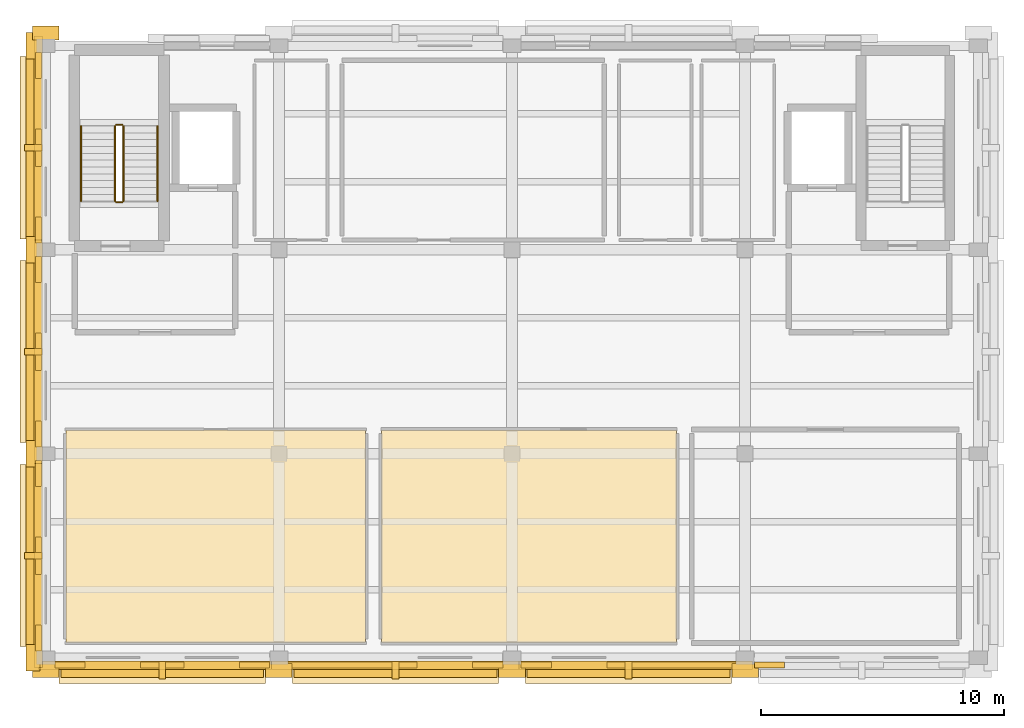
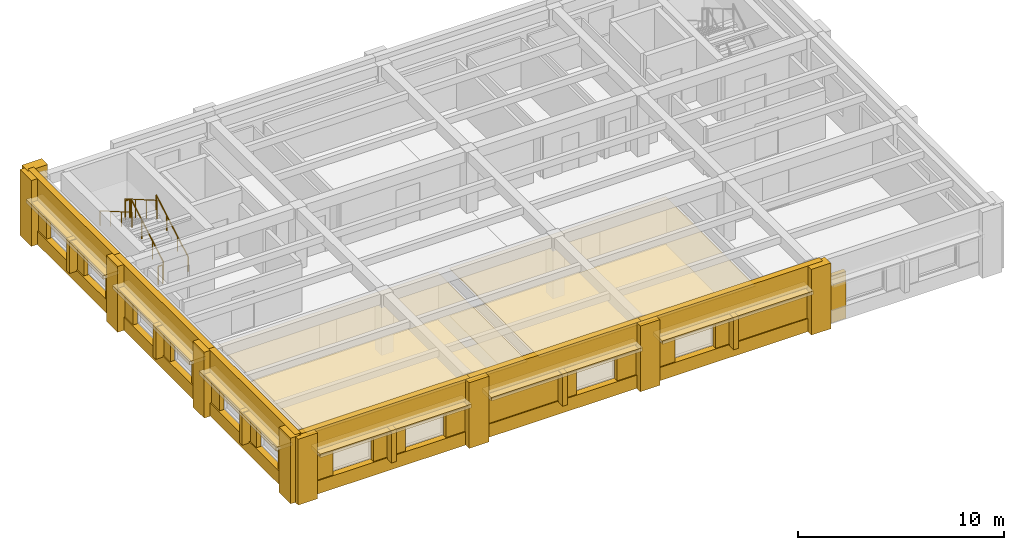
# One storey, part 5 of 7: 54 coverings, 6 railings, 6 shading devices.
"""IFC4 building model written with IfcOpenShell, lengths in metres."""

import ifcopenshell
import ifcopenshell.guid

model = None  # the IFC model being written
_history = None  # IfcOwnerHistory: only IFC2X3 demands one
_inside = {}  # id of a spatial element -> (the spatial element, [elements in it])
_under = {}  # id of a project, library or spatial element -> (it, [spatial elements below it])
_declared = {}  # id of a project -> (the project, [libraries it declares])
_typed = {}  # id of a type object -> (the type object, [elements of that type])
_made_of = {}  # id of a material, layer set ... -> (it, [elements and type objects made of it])


def new_model(schema):
    """Start an empty IFC model of exactly this schema.

    Asked for "IFC4X3", IfcOpenShell would pick the latest addendum, in which some entities
    have other attributes; the version numbers below select the first issue.
    IFC2X3 requires an IfcOwnerHistory on every rooted entity: one is made here for all.
    """
    global model, _history
    if schema == "IFC4X3":
        model = ifcopenshell.file(schema_version=(4, 3, 0, 0))
    else:
        model = ifcopenshell.file(schema=schema)
    _inside.clear()
    _under.clear()
    _declared.clear()
    _typed.clear()
    _made_of.clear()
    _history = None
    if model.schema == "IFC2X3":
        org = make("IfcOrganization", Name="unknown")
        user = make(
            "IfcPersonAndOrganization",
            ThePerson=make("IfcPerson", FamilyName="unknown"),
            TheOrganization=org,
        )
        app = make(
            "IfcApplication",
            ApplicationDeveloper=org,
            Version="unknown",
            ApplicationFullName="unknown",
            ApplicationIdentifier="unknown",
        )
        _history = make(
            "IfcOwnerHistory",
            OwningUser=user,
            OwningApplication=app,
            ChangeAction="ADDED",
            CreationDate=0,
        )
    return model


def make(cls, **values):
    """One entity of the class cls with the attributes given. An attribute that is None is left unset."""
    return model.create_entity(
        cls, **{name: value for name, value in values.items() if value is not None}
    )


def rooted(cls, **values):
    """An entity with a GlobalId (a new one), such as an element, a storey or a relation."""
    return make(cls, GlobalId=ifcopenshell.guid.new(), OwnerHistory=_history, **values)


def si_unit(unit_type, name, prefix=None):
    """IfcSIUnit, for example si_unit("LENGTHUNIT", "METRE", prefix="MILLI")."""
    return make("IfcSIUnit", UnitType=unit_type, Prefix=prefix, Name=name)


def assignment(units):
    """IfcUnitAssignment: the units of a project."""
    return None if units is None else make("IfcUnitAssignment", Units=units)


def point(xyz):
    """IfcCartesianPoint."""
    return None if xyz is None else make("IfcCartesianPoint", Coordinates=xyz)


def direction(xyz):
    """IfcDirection."""
    return None if xyz is None else make("IfcDirection", DirectionRatios=xyz)


def frame(location, z_axis=None, x_axis=None):
    """IfcAxis2Placement3D, a coordinate frame: its origin and axes. An axis left out is left unset."""
    return make(
        "IfcAxis2Placement3D",
        Location=point(location),
        Axis=direction(z_axis),
        RefDirection=direction(x_axis),
    )


def frame_2d(location, x_axis=None):
    """IfcAxis2Placement2D, a coordinate frame in the plane: its origin and x axis."""
    return make(
        "IfcAxis2Placement2D", Location=point(location), RefDirection=direction(x_axis)
    )


def origin():
    """The frame at (0, 0, 0) with its axes left unset."""
    return frame((0.0, 0.0, 0.0))


def origin_2d():
    """The frame at (0, 0) in the plane with its x axis left unset."""
    return frame_2d((0.0, 0.0))


def place(relative_to, where):
    """IfcLocalPlacement: puts the frame where relative to a parent placement (None: the world)."""
    return make(
        "IfcLocalPlacement", PlacementRelTo=relative_to, RelativePlacement=where
    )


def context(
    kind, dimensions, precision=None, world=None, true_north=None, identifier=None
):
    """IfcGeometricRepresentationContext, for example the 3D "Model" context."""
    return make(
        "IfcGeometricRepresentationContext",
        ContextIdentifier=identifier,
        ContextType=kind,
        CoordinateSpaceDimension=dimensions,
        Precision=precision,
        WorldCoordinateSystem=world,
        TrueNorth=true_north,
    )


def subcontext(parent, identifier, kind, view, scale=None):
    """IfcGeometricRepresentationSubContext, for example "Body" below "Model"."""
    return make(
        "IfcGeometricRepresentationSubContext",
        ContextIdentifier=identifier,
        ContextType=kind,
        ParentContext=parent,
        TargetScale=scale,
        TargetView=view,
    )


def project(units=None, contexts=None):
    """IfcProject with its units and contexts."""
    return rooted(
        "IfcProject",
        Name="project",
        RepresentationContexts=contexts,
        UnitsInContext=assignment(units),
    )


def spatial(cls, under=None, at=None, **own):
    """A site, building, storey or space (cls), placed at a placement, below another one or the project."""
    s = rooted(cls, ObjectPlacement=at, **own)
    if under is not None:
        _under.setdefault(under.id(), (under, []))[1].append(s)
    return s


def polyline(points):
    """IfcPolyline through the points."""
    return make("IfcPolyline", Points=[point(p) for p in points])


def profile(cls, at=None, kind="AREA", **sizes):
    """A parametric profile (cls). Its sizes go by their IFC names, for example OverallWidth=200.0."""
    return make(cls, ProfileType=kind, Position=at, **sizes)


def rectangle(**sizes):
    """IfcRectangleProfileDef."""
    return profile("IfcRectangleProfileDef", **sizes)


def circle(**sizes):
    """IfcCircleProfileDef."""
    return profile("IfcCircleProfileDef", **sizes)


def outline(outer, holes=None, kind="AREA"):
    """IfcArbitraryClosedProfileDef: a profile drawn as a closed curve; with holes, ...WithVoids."""
    if holes is None:
        return make("IfcArbitraryClosedProfileDef", ProfileType=kind, OuterCurve=outer)
    return make(
        "IfcArbitraryProfileDefWithVoids",
        ProfileType=kind,
        OuterCurve=outer,
        InnerCurves=holes,
    )


def extrude(swept, where, along, depth):
    """IfcExtrudedAreaSolid: the profile swept, set in the frame where, extruded along a direction by depth."""
    return make(
        "IfcExtrudedAreaSolid",
        SweptArea=swept,
        Position=where,
        ExtrudedDirection=direction(along),
        Depth=depth,
    )


def shape(context_of_items, identifier, shape_type, items):
    """IfcShapeRepresentation: the items that make up one representation, for example the "Body"."""
    return make(
        "IfcShapeRepresentation",
        ContextOfItems=context_of_items,
        RepresentationIdentifier=identifier,
        RepresentationType=shape_type,
        Items=items,
    )


def material(Name=None, Category=None):
    """IfcMaterial."""
    return make("IfcMaterial", Name=Name, Category=Category)


def layer(
    of_material, thickness, ventilated=None, Name=None, Category=None, Priority=None
):
    """IfcMaterialLayer: one layer of a wall or slab, of a material (None: an air gap)."""
    return make(
        "IfcMaterialLayer",
        Material=of_material,
        LayerThickness=thickness,
        IsVentilated=ventilated,
        Name=Name,
        Category=Category,
        Priority=Priority,
    )


def layer_set(layers, Name=None):
    """IfcMaterialLayerSet."""
    return make("IfcMaterialLayerSet", MaterialLayers=layers, LayerSetName=Name)


def made_of(thing, what):
    """Note that an element or type object is made of a material, layer set ...; save() writes the relation."""
    if what is not None:
        _made_of.setdefault(what.id(), (what, []))[1].append(thing)
    return thing


def type_object(cls, material=None, **own):
    """A type object (cls), such as IfcWallType, which elements share."""
    return made_of(rooted(cls, **own), material)


def element(
    cls,
    number,
    at=None,
    inside=None,
    cuts=None,
    type_object=None,
    material=None,
    context=None,
    identifier="Body",
    shape_type=None,
    held_by="IfcProductDefinitionShape",
    body=None,
    shapes=None,
    **own,
):
    """One element of the class cls, such as IfcWall. Its Tag is "e" and its number.

    at: its placement. inside: the storey or other place that contains it. cuts: it is an
    opening in that element (IfcRelVoidsElement). A single representation is given by context,
    identifier, shape_type and body (its items); several are given by shapes. held_by: the class
    of the entity that holds the representations. save() writes the other relations.
    """
    e = rooted(cls, Tag="e%d" % number, ObjectPlacement=at, **own)
    if body is not None:
        shapes = [shape(context, identifier, shape_type, body)]
    if shapes is not None:
        e.Representation = make(held_by, Representations=shapes)
    if inside is not None:
        _inside.setdefault(inside.id(), (inside, []))[1].append(e)
    if cuts is not None:
        rooted(
            "IfcRelVoidsElement", RelatingBuildingElement=cuts, RelatedOpeningElement=e
        )
    if type_object is not None:
        _typed.setdefault(type_object.id(), (type_object, []))[1].append(e)
    return made_of(e, material)


def aggregate(whole, parts):
    """IfcRelAggregates: a whole, such as a stair, and the parts it consists of."""
    return rooted("IfcRelAggregates", RelatingObject=whole, RelatedObjects=parts)


def save(model, path):
    """Write the relations noted so far, then the file.

    IfcRelAggregates (storeys below a building ...), IfcRelContainedInSpatialStructure (elements
    in a storey), IfcRelDefinesByType, IfcRelAssociatesMaterial and IfcRelDeclares: one each for
    every whole, place, type object, material and project.
    """
    for whole, parts in _under.values():
        aggregate(whole, parts)
    for where, things in _inside.values():
        rooted(
            "IfcRelContainedInSpatialStructure",
            RelatedElements=things,
            RelatingStructure=where,
        )
    for kind, things in _typed.values():
        rooted("IfcRelDefinesByType", RelatedObjects=things, RelatingType=kind)
    for what, things in _made_of.values():
        rooted("IfcRelAssociatesMaterial", RelatedObjects=things, RelatingMaterial=what)
    for by, libraries in _declared.values():
        rooted("IfcRelDeclares", RelatingContext=by, RelatedDefinitions=libraries)
    model.write(path)


model = new_model("IFC4")

# Units and contexts
model_context = context("Model", 3, precision=1e-05, world=origin(), true_north=direction((0.0, 1.0)))
body_context = subcontext(model_context, "Body", "Model", "MODEL_VIEW")
ifc_project = project(units=[si_unit("LENGTHUNIT", "METRE"), si_unit("AREAUNIT", "SQUARE_METRE"), si_unit("VOLUMEUNIT", "CUBIC_METRE"), si_unit("PLANEANGLEUNIT", "RADIAN"), si_unit("MASSUNIT", "GRAM", prefix="KILO")], contexts=[model_context])

# Site, building, storey
site_placement = place(None, origin())
site = spatial("IfcSite", under=ifc_project, at=site_placement, CompositionType="ELEMENT")
building_placement = place(site_placement, origin())
building = spatial("IfcBuilding", under=site, at=building_placement, Name="Bempovik Park Faculty of Sciences", CompositionType="ELEMENT")
storey_placement = place(building_placement, frame((0.0, 0.0, 42.300048828125)))
storey = spatial("IfcBuildingStorey", under=building, at=storey_placement, Name="L10", CompositionType="ELEMENT", Elevation=42.300048828125)

# Coverings
ifc_material_1 = material(Name="Acoustic mineral ceiling tile")
ifc_layer_1 = layer(ifc_material_1, 0.0400390625)
ifc_layer_set_1 = layer_set([ifc_layer_1], Name="Acoustic mineral ceiling tile")
covering_type_1 = type_object("IfcCoveringType", Name="CE-01 Acoustic Ceiling 40mm", PredefinedType="CEILING", material=ifc_layer_set_1)
covering_1_placement = place(storey_placement, frame((0.0, 0.0, 2.81005859375)))
element("IfcCovering", 1, at=covering_1_placement, inside=storey, type_object=covering_type_1, Name="L10 Dean of Sciences and Faculty Secretariat Acoustic Ceiling", PredefinedType="CEILING", context=body_context, shape_type="SweptSolid", body=[
    extrude(outline(polyline([(70.429931640625, 94.830078125), (82.77001953125, 94.830078125), (82.77001953125, 103.570068359375), (70.429931640625, 103.570068359375), (70.429931640625, 94.830078125)])), origin(), (0.0, 0.0, 1.0), 0.039794921875),
])
covering_2_placement = place(storey_placement, frame((0.0, 0.0, 2.81005859375)))
element("IfcCovering", 2, at=covering_2_placement, inside=storey, type_object=covering_type_1, Name="L10 Faculty Senate Colloquium Room Acoustic Ceiling", PredefinedType="CEILING", context=body_context, shape_type="SweptSolid", body=[
    extrude(outline(polyline([(83.429931640625, 94.830078125), (95.570068359375, 94.830078125), (95.570068359375, 103.570068359375), (83.429931640625, 103.570068359375), (83.429931640625, 94.830078125)])), origin(), (0.0, 0.0, 1.0), 0.039794921875),
])
ifc_material_2 = material(Name="Precast concrete C40/50", Category="concrete")
ifc_layer_2 = layer(ifc_material_2, 0.179931640625)
ifc_layer_set_2 = layer_set([ifc_layer_2], Name="Precast concrete C40/50")
covering_type_2 = type_object("IfcCoveringType", Name="CL-02 Classical Cornice Band 180mm", PredefinedType="CLADDING", material=ifc_layer_set_2)
for number, where, z_axis, x_axis, name in (
    (3, (69.0, 98.39990234375, 2.60986328125), (0.0, 0.0, 1.0), (1.0, 0.0, 0.0), "L10 Classical Stone Solar Window Hood EW-L10-11207"),
    (4, (69.0, 106.800048828125, 2.60986328125), (0.0, 0.0, 1.0), (1.0, 0.0, 0.0), "L10 Classical Stone Solar Window Hood EW-L10-11220"),
    (5, (69.0, 115.199951171875, 2.60986328125), (0.0, 0.0, 1.0), (1.0, 0.0, 0.0), "L10 Classical Stone Solar Window Hood EW-L10-11232"),
):
    element("IfcCovering", number, at=place(storey_placement, frame(where, z_axis=z_axis, x_axis=x_axis)), inside=storey, type_object=covering_type_2, Name=name, PredefinedType="CLADDING", context=body_context, shape_type="SweptSolid", body=[
        extrude(rectangle(XDim=0.919921875, YDim=7.49609375, at=origin_2d()), origin(), (0.0, 0.0, 1.0), 0.219970703125),
    ])
for number, where, z_axis, x_axis, name in (
    (6, (74.39990234375, 93.60009765625, 2.56005859375), (0.0, 0.0, 1.0), (1.0, 0.0, 0.0), "L10 Classical Stone Solar Window Hood EW-L10-11244"),
    (7, (84.0, 93.60009765625, 2.56005859375), (0.0, 0.0, 1.0), (1.0, 0.0, 0.0), "L10 Classical Stone Solar Window Hood EW-L10-11257"),
    (8, (93.60009765625, 93.60009765625, 2.56005859375), (0.0, 0.0, 1.0), (1.0, 0.0, 0.0), "L10 Classical Stone Solar Window Hood EW-L10-11267"),
):
    element("IfcCovering", number, at=place(storey_placement, frame(where, z_axis=z_axis, x_axis=x_axis)), inside=storey, type_object=covering_type_2, Name=name, PredefinedType="CLADDING", context=body_context, shape_type="SweptSolid", body=[
        extrude(rectangle(XDim=8.49609375, YDim=0.919921875, at=origin_2d()), origin(), (0.0, 0.0, 1.0), 0.219970703125),
    ])
ifc_material_3 = material(Name="White reconstituted limestone precast C40/50", Category="masonry")
ifc_layer_3 = layer(ifc_material_3, 0.239990234375)
ifc_layer_set_3 = layer_set([ifc_layer_3], Name="White reconstituted limestone precast C40/50")
covering_type_3 = type_object("IfcCoveringType", Name="CL-03 Classical Fluted Limestone Pilaster 240mm", PredefinedType="CLADDING", material=ifc_layer_set_3)
covering_3_placement = place(storey_placement, frame((69.60009765625, 119.929931640625, 0.0), z_axis=(0.0, 0.0, 1.0), x_axis=(1.0, 0.0, 0.0)))
element("IfcCovering", 9, at=covering_3_placement, inside=storey, type_object=covering_type_3, Name="L10 Classical Fluted Stone Pilaster PIL-BA-L10-696-1199", PredefinedType="CLADDING", context=body_context, shape_type="SweptSolid", body=[
    extrude(rectangle(XDim=1.10009765625, YDim=0.580078125, at=origin_2d()), origin(), (0.0, 0.0, 1.0), 3.89990234375),
])
covering_4_placement = place(storey_placement, frame((69.2900390625, 98.39990234375, 2.6201171875), z_axis=(0.0, 0.0, 1.0), x_axis=(1.0, 0.0, 0.0)))
element("IfcCovering", 10, at=covering_4_placement, inside=storey, type_object=covering_type_3, Name="L10 Classical Limestone Spandrel Entablature EW-L10-11207", PredefinedType="CLADDING", context=body_context, shape_type="SweptSolid", body=[
    extrude(rectangle(XDim=0.340087890625, YDim=9.196044921875, at=origin_2d()), origin(), (0.0, 0.0, 1.0), 1.280029296875),
])
covering_5_placement = place(storey_placement, frame((69.2900390625, 98.39990234375, 0.0), z_axis=(0.0, 0.0, 1.0), x_axis=(1.0, 0.0, 0.0)))
element("IfcCovering", 11, at=covering_5_placement, inside=storey, type_object=covering_type_3, Name="L10 Classical Limestone Sill Dado EW-L10-11207", PredefinedType="CLADDING", context=body_context, shape_type="SweptSolid", body=[
    extrude(rectangle(XDim=0.340087890625, YDim=9.196044921875, at=origin_2d()), origin(), (0.0, 0.0, 1.0), 0.780029296875),
])
for number, where, z_axis, x_axis, name in (
    (12, (69.070068359375, 94.199951171875, 0.0), (0.0, 0.0, 1.0), (1.0, 0.0, 0.0), "L10 Classical Fluted Stone Pilaster PIL-BA-L10-691-942"),
    (13, (69.070068359375, 102.60009765625, 0.0), (0.0, 0.0, 1.0), (1.0, 0.0, 0.0), "L10 Classical Fluted Stone Pilaster PIL-BA-L10-691-1026"),
):
    element("IfcCovering", number, at=place(storey_placement, frame(where, z_axis=z_axis, x_axis=x_axis)), inside=storey, type_object=covering_type_3, Name=name, PredefinedType="CLADDING", context=body_context, shape_type="SweptSolid", body=[
        extrude(rectangle(XDim=0.580078125, YDim=1.10009765625, at=origin_2d()), origin(), (0.0, 0.0, 1.0), 3.89990234375),
    ])
covering_6_placement = place(storey_placement, frame((69.300048828125, 95.01611328125, 0.0), z_axis=(0.0, 0.0, 1.0), x_axis=(1.0, 0.0, 0.0)))
element("IfcCovering", 14, at=covering_6_placement, inside=storey, type_object=covering_type_3, Name="L10 White Limestone Wall Cheek EW-L10-11207-0", PredefinedType="CLADDING", context=body_context, shape_type="SweptSolid", body=[
    extrude(rectangle(XDim=0.239990234375, YDim=1.078369140625, at=origin_2d()), origin(), (0.0, 0.0, 1.0), 2.780029296875),
])
covering_7_placement = place(storey_placement, frame((69.300048828125, 98.39990234375, 0.0), z_axis=(0.0, 0.0, 1.0), x_axis=(1.0, 0.0, 0.0)))
element("IfcCovering", 15, at=covering_7_placement, inside=storey, type_object=covering_type_3, Name="L10 White Limestone Wall Cheek EW-L10-11207-2", PredefinedType="CLADDING", context=body_context, shape_type="SweptSolid", body=[
    extrude(rectangle(XDim=0.239990234375, YDim=1.529296875, at=origin_2d()), origin(), (0.0, 0.0, 1.0), 2.780029296875),
])
covering_8_placement = place(storey_placement, frame((69.300048828125, 101.78369140625, 0.0), z_axis=(0.0, 0.0, 1.0), x_axis=(1.0, 0.0, 0.0)))
element("IfcCovering", 16, at=covering_8_placement, inside=storey, type_object=covering_type_3, Name="L10 White Limestone Wall Cheek EW-L10-11207-4", PredefinedType="CLADDING", context=body_context, shape_type="SweptSolid", body=[
    extrude(rectangle(XDim=0.239990234375, YDim=1.078369140625, at=origin_2d()), origin(), (0.0, 0.0, 1.0), 2.780029296875),
])
covering_9_placement = place(storey_placement, frame((69.090087890625, 98.39990234375, 0.7001953125), z_axis=(0.0, 0.0, 1.0), x_axis=(1.0, 0.0, 0.0)))
element("IfcCovering", 17, at=covering_9_placement, inside=storey, type_object=covering_type_3, Name="L10 Classical Vertical Stone Shading Fin EW-L10-11207", PredefinedType="CLADDING", context=body_context, shape_type="SweptSolid", body=[
    extrude(rectangle(XDim=0.719970703125, YDim=0.280029296875, at=origin_2d()), origin(), (0.0, 0.0, 1.0), 1.949951171875),
])
covering_10_placement = place(storey_placement, frame((69.2900390625, 106.800048828125, 2.6201171875), z_axis=(0.0, 0.0, 1.0), x_axis=(1.0, 0.0, 0.0)))
element("IfcCovering", 18, at=covering_10_placement, inside=storey, type_object=covering_type_3, Name="L10 Classical Limestone Spandrel Entablature EW-L10-11220", PredefinedType="CLADDING", context=body_context, shape_type="SweptSolid", body=[
    extrude(rectangle(XDim=0.340087890625, YDim=9.196044921875, at=origin_2d()), origin(), (0.0, 0.0, 1.0), 1.280029296875),
])
covering_11_placement = place(storey_placement, frame((69.2900390625, 106.800048828125, 0.0), z_axis=(0.0, 0.0, 1.0), x_axis=(1.0, 0.0, 0.0)))
element("IfcCovering", 19, at=covering_11_placement, inside=storey, type_object=covering_type_3, Name="L10 Classical Limestone Sill Dado EW-L10-11220", PredefinedType="CLADDING", context=body_context, shape_type="SweptSolid", body=[
    extrude(rectangle(XDim=0.340087890625, YDim=9.196044921875, at=origin_2d()), origin(), (0.0, 0.0, 1.0), 0.780029296875),
])
covering_12_placement = place(storey_placement, frame((69.070068359375, 111.0, 0.0), z_axis=(0.0, 0.0, 1.0), x_axis=(1.0, 0.0, 0.0)))
element("IfcCovering", 20, at=covering_12_placement, inside=storey, type_object=covering_type_3, Name="L10 Classical Fluted Stone Pilaster PIL-BA-L10-691-1110", PredefinedType="CLADDING", context=body_context, shape_type="SweptSolid", body=[
    extrude(rectangle(XDim=0.580078125, YDim=1.10009765625, at=origin_2d()), origin(), (0.0, 0.0, 1.0), 3.89990234375),
])
covering_13_placement = place(storey_placement, frame((69.300048828125, 103.416259765625, 0.0), z_axis=(0.0, 0.0, 1.0), x_axis=(1.0, 0.0, 0.0)))
element("IfcCovering", 21, at=covering_13_placement, inside=storey, type_object=covering_type_3, Name="L10 White Limestone Wall Cheek EW-L10-11220-0", PredefinedType="CLADDING", context=body_context, shape_type="SweptSolid", body=[
    extrude(rectangle(XDim=0.239990234375, YDim=1.078369140625, at=origin_2d()), origin(), (0.0, 0.0, 1.0), 2.780029296875),
])
covering_14_placement = place(storey_placement, frame((69.300048828125, 106.800048828125, 0.0), z_axis=(0.0, 0.0, 1.0), x_axis=(1.0, 0.0, 0.0)))
element("IfcCovering", 22, at=covering_14_placement, inside=storey, type_object=covering_type_3, Name="L10 White Limestone Wall Cheek EW-L10-11220-2", PredefinedType="CLADDING", context=body_context, shape_type="SweptSolid", body=[
    extrude(rectangle(XDim=0.239990234375, YDim=1.529296875, at=origin_2d()), origin(), (0.0, 0.0, 1.0), 2.780029296875),
])
covering_15_placement = place(storey_placement, frame((69.300048828125, 110.183837890625, 0.0), z_axis=(0.0, 0.0, 1.0), x_axis=(1.0, 0.0, 0.0)))
element("IfcCovering", 23, at=covering_15_placement, inside=storey, type_object=covering_type_3, Name="L10 White Limestone Wall Cheek EW-L10-11220-4", PredefinedType="CLADDING", context=body_context, shape_type="SweptSolid", body=[
    extrude(rectangle(XDim=0.239990234375, YDim=1.078369140625, at=origin_2d()), origin(), (0.0, 0.0, 1.0), 2.780029296875),
])
covering_16_placement = place(storey_placement, frame((69.090087890625, 106.800048828125, 0.7001953125), z_axis=(0.0, 0.0, 1.0), x_axis=(1.0, 0.0, 0.0)))
element("IfcCovering", 24, at=covering_16_placement, inside=storey, type_object=covering_type_3, Name="L10 Classical Vertical Stone Shading Fin EW-L10-11220", PredefinedType="CLADDING", context=body_context, shape_type="SweptSolid", body=[
    extrude(rectangle(XDim=0.719970703125, YDim=0.280029296875, at=origin_2d()), origin(), (0.0, 0.0, 1.0), 1.949951171875),
])
covering_17_placement = place(storey_placement, frame((69.2900390625, 115.199951171875, 2.6201171875), z_axis=(0.0, 0.0, 1.0), x_axis=(1.0, 0.0, 0.0)))
element("IfcCovering", 25, at=covering_17_placement, inside=storey, type_object=covering_type_3, Name="L10 Classical Limestone Spandrel Entablature EW-L10-11232", PredefinedType="CLADDING", context=body_context, shape_type="SweptSolid", body=[
    extrude(rectangle(XDim=0.340087890625, YDim=9.196044921875, at=origin_2d()), origin(), (0.0, 0.0, 1.0), 1.280029296875),
])
covering_18_placement = place(storey_placement, frame((69.2900390625, 115.199951171875, 0.0), z_axis=(0.0, 0.0, 1.0), x_axis=(1.0, 0.0, 0.0)))
element("IfcCovering", 26, at=covering_18_placement, inside=storey, type_object=covering_type_3, Name="L10 Classical Limestone Sill Dado EW-L10-11232", PredefinedType="CLADDING", context=body_context, shape_type="SweptSolid", body=[
    extrude(rectangle(XDim=0.340087890625, YDim=9.196044921875, at=origin_2d()), origin(), (0.0, 0.0, 1.0), 0.780029296875),
])
covering_19_placement = place(storey_placement, frame((69.070068359375, 119.39990234375, 0.0), z_axis=(0.0, 0.0, 1.0), x_axis=(1.0, 0.0, 0.0)))
element("IfcCovering", 27, at=covering_19_placement, inside=storey, type_object=covering_type_3, Name="L10 Classical Fluted Stone Pilaster PIL-BA-L10-691-1194", PredefinedType="CLADDING", context=body_context, shape_type="SweptSolid", body=[
    extrude(rectangle(XDim=0.580078125, YDim=1.10009765625, at=origin_2d()), origin(), (0.0, 0.0, 1.0), 3.89990234375),
])
covering_20_placement = place(storey_placement, frame((69.300048828125, 111.816162109375, 0.0), z_axis=(0.0, 0.0, 1.0), x_axis=(1.0, 0.0, 0.0)))
element("IfcCovering", 28, at=covering_20_placement, inside=storey, type_object=covering_type_3, Name="L10 White Limestone Wall Cheek EW-L10-11232-0", PredefinedType="CLADDING", context=body_context, shape_type="SweptSolid", body=[
    extrude(rectangle(XDim=0.239990234375, YDim=1.078369140625, at=origin_2d()), origin(), (0.0, 0.0, 1.0), 2.780029296875),
])
covering_21_placement = place(storey_placement, frame((69.300048828125, 115.199951171875, 0.0), z_axis=(0.0, 0.0, 1.0), x_axis=(1.0, 0.0, 0.0)))
element("IfcCovering", 29, at=covering_21_placement, inside=storey, type_object=covering_type_3, Name="L10 White Limestone Wall Cheek EW-L10-11232-2", PredefinedType="CLADDING", context=body_context, shape_type="SweptSolid", body=[
    extrude(rectangle(XDim=0.239990234375, YDim=1.529296875, at=origin_2d()), origin(), (0.0, 0.0, 1.0), 2.780029296875),
])
covering_22_placement = place(storey_placement, frame((69.300048828125, 118.583740234375, 0.0), z_axis=(0.0, 0.0, 1.0), x_axis=(1.0, 0.0, 0.0)))
element("IfcCovering", 30, at=covering_22_placement, inside=storey, type_object=covering_type_3, Name="L10 White Limestone Wall Cheek EW-L10-11232-4", PredefinedType="CLADDING", context=body_context, shape_type="SweptSolid", body=[
    extrude(rectangle(XDim=0.239990234375, YDim=1.078369140625, at=origin_2d()), origin(), (0.0, 0.0, 1.0), 2.780029296875),
])
covering_23_placement = place(storey_placement, frame((69.090087890625, 115.199951171875, 0.7001953125), z_axis=(0.0, 0.0, 1.0), x_axis=(1.0, 0.0, 0.0)))
element("IfcCovering", 31, at=covering_23_placement, inside=storey, type_object=covering_type_3, Name="L10 Classical Vertical Stone Shading Fin EW-L10-11232", PredefinedType="CLADDING", context=body_context, shape_type="SweptSolid", body=[
    extrude(rectangle(XDim=0.719970703125, YDim=0.280029296875, at=origin_2d()), origin(), (0.0, 0.0, 1.0), 1.949951171875),
])
covering_24_placement = place(storey_placement, frame((74.39990234375, 93.889892578125, 2.6201171875), z_axis=(0.0, 0.0, 1.0), x_axis=(1.0, 0.0, 0.0)))
element("IfcCovering", 32, at=covering_24_placement, inside=storey, type_object=covering_type_3, Name="L10 Classical Limestone Spandrel Entablature EW-L10-11244", PredefinedType="CLADDING", context=body_context, shape_type="SweptSolid", body=[
    extrude(rectangle(XDim=10.196044921875, YDim=0.340087890625, at=origin_2d()), origin(), (0.0, 0.0, 1.0), 1.280029296875),
])
covering_25_placement = place(storey_placement, frame((74.39990234375, 93.889892578125, 0.0), z_axis=(0.0, 0.0, 1.0), x_axis=(1.0, 0.0, 0.0)))
element("IfcCovering", 33, at=covering_25_placement, inside=storey, type_object=covering_type_3, Name="L10 Classical Limestone Sill Dado EW-L10-11244", PredefinedType="CLADDING", context=body_context, shape_type="SweptSolid", body=[
    extrude(rectangle(XDim=10.196044921875, YDim=0.340087890625, at=origin_2d()), origin(), (0.0, 0.0, 1.0), 0.780029296875),
])
for number, where, z_axis, x_axis, name in (
    (34, (69.60009765625, 93.669921875, 0.0), (0.0, 0.0, 1.0), (1.0, 0.0, 0.0), "L10 Classical Fluted Stone Pilaster PIL-BA-L10-696-937"),
    (35, (79.199951171875, 93.669921875, 0.0), (0.0, 0.0, 1.0), (1.0, 0.0, 0.0), "L10 Classical Fluted Stone Pilaster PIL-BA-L10-792-937"),
):
    element("IfcCovering", number, at=place(storey_placement, frame(where, z_axis=z_axis, x_axis=x_axis)), inside=storey, type_object=covering_type_3, Name=name, PredefinedType="CLADDING", context=body_context, shape_type="SweptSolid", body=[
        extrude(rectangle(XDim=1.10009765625, YDim=0.580078125, at=origin_2d()), origin(), (0.0, 0.0, 1.0), 3.89990234375),
    ])
covering_26_placement = place(storey_placement, frame((70.601318359375, 93.89990234375, 0.0), z_axis=(0.0, 0.0, 1.0), x_axis=(1.0, 0.0, 0.0)))
element("IfcCovering", 36, at=covering_26_placement, inside=storey, type_object=covering_type_3, Name="L10 White Limestone Wall Cheek EW-L10-11244-0", PredefinedType="CLADDING", context=body_context, shape_type="SweptSolid", body=[
    extrude(rectangle(XDim=1.248291015625, YDim=0.239990234375, at=origin_2d()), origin(), (0.0, 0.0, 1.0), 2.780029296875),
])
covering_27_placement = place(storey_placement, frame((74.39990234375, 93.89990234375, 0.0), z_axis=(0.0, 0.0, 1.0), x_axis=(1.0, 0.0, 0.0)))
element("IfcCovering", 37, at=covering_27_placement, inside=storey, type_object=covering_type_3, Name="L10 White Limestone Wall Cheek EW-L10-11244-2", PredefinedType="CLADDING", context=body_context, shape_type="SweptSolid", body=[
    extrude(rectangle(XDim=1.789306640625, YDim=0.239990234375, at=origin_2d()), origin(), (0.0, 0.0, 1.0), 2.780029296875),
])
covering_28_placement = place(storey_placement, frame((78.19873046875, 93.89990234375, 0.0), z_axis=(0.0, 0.0, 1.0), x_axis=(1.0, 0.0, 0.0)))
element("IfcCovering", 38, at=covering_28_placement, inside=storey, type_object=covering_type_3, Name="L10 White Limestone Wall Cheek EW-L10-11244-4", PredefinedType="CLADDING", context=body_context, shape_type="SweptSolid", body=[
    extrude(rectangle(XDim=1.248291015625, YDim=0.239990234375, at=origin_2d()), origin(), (0.0, 0.0, 1.0), 2.780029296875),
])
covering_29_placement = place(storey_placement, frame((74.39990234375, 93.68994140625, 0.699951171875), z_axis=(0.0, 0.0, 1.0), x_axis=(1.0, 0.0, 0.0)))
element("IfcCovering", 39, at=covering_29_placement, inside=storey, type_object=covering_type_3, Name="L10 Classical Vertical Stone Shading Fin EW-L10-11244", PredefinedType="CLADDING", context=body_context, shape_type="SweptSolid", body=[
    extrude(rectangle(XDim=0.280029296875, YDim=0.719970703125, at=origin_2d()), origin(), (0.0, 0.0, 1.0), 1.89990234375),
])
covering_30_placement = place(storey_placement, frame((84.0, 93.889892578125, 2.6201171875), z_axis=(0.0, 0.0, 1.0), x_axis=(1.0, 0.0, 0.0)))
element("IfcCovering", 40, at=covering_30_placement, inside=storey, type_object=covering_type_3, Name="L10 Classical Limestone Spandrel Entablature EW-L10-11257", PredefinedType="CLADDING", context=body_context, shape_type="SweptSolid", body=[
    extrude(rectangle(XDim=10.196044921875, YDim=0.340087890625, at=origin_2d()), origin(), (0.0, 0.0, 1.0), 1.280029296875),
])
covering_31_placement = place(storey_placement, frame((84.0, 93.889892578125, 0.0), z_axis=(0.0, 0.0, 1.0), x_axis=(1.0, 0.0, 0.0)))
element("IfcCovering", 41, at=covering_31_placement, inside=storey, type_object=covering_type_3, Name="L10 Classical Limestone Sill Dado EW-L10-11257", PredefinedType="CLADDING", context=body_context, shape_type="SweptSolid", body=[
    extrude(rectangle(XDim=10.196044921875, YDim=0.340087890625, at=origin_2d()), origin(), (0.0, 0.0, 1.0), 0.780029296875),
])
covering_32_placement = place(storey_placement, frame((88.800048828125, 93.669921875, 0.0), z_axis=(0.0, 0.0, 1.0), x_axis=(1.0, 0.0, 0.0)))
element("IfcCovering", 42, at=covering_32_placement, inside=storey, type_object=covering_type_3, Name="L10 Classical Fluted Stone Pilaster PIL-BA-L10-888-937", PredefinedType="CLADDING", context=body_context, shape_type="SweptSolid", body=[
    extrude(rectangle(XDim=1.10009765625, YDim=0.580078125, at=origin_2d()), origin(), (0.0, 0.0, 1.0), 3.89990234375),
])
covering_33_placement = place(storey_placement, frame((82.23583984375, 93.89990234375, 0.0), z_axis=(0.0, 0.0, 1.0), x_axis=(1.0, 0.0, 0.0)))
element("IfcCovering", 43, at=covering_33_placement, inside=storey, type_object=covering_type_3, Name="L10 White Limestone Wall Cheek EW-L10-11257-0", PredefinedType="CLADDING", context=body_context, shape_type="SweptSolid", body=[
    extrude(rectangle(XDim=5.317626953125, YDim=0.239990234375, at=origin_2d()), origin(), (0.0, 0.0, 1.0), 2.780029296875),
])
covering_34_placement = place(storey_placement, frame((87.798828125, 93.89990234375, 0.0), z_axis=(0.0, 0.0, 1.0), x_axis=(1.0, 0.0, 0.0)))
element("IfcCovering", 44, at=covering_34_placement, inside=storey, type_object=covering_type_3, Name="L10 White Limestone Wall Cheek EW-L10-11257-2", PredefinedType="CLADDING", context=body_context, shape_type="SweptSolid", body=[
    extrude(rectangle(XDim=1.248291015625, YDim=0.239990234375, at=origin_2d()), origin(), (0.0, 0.0, 1.0), 2.780029296875),
])
covering_35_placement = place(storey_placement, frame((84.0, 93.68994140625, 0.699951171875), z_axis=(0.0, 0.0, 1.0), x_axis=(1.0, 0.0, 0.0)))
element("IfcCovering", 45, at=covering_35_placement, inside=storey, type_object=covering_type_3, Name="L10 Classical Vertical Stone Shading Fin EW-L10-11257", PredefinedType="CLADDING", context=body_context, shape_type="SweptSolid", body=[
    extrude(rectangle(XDim=0.280029296875, YDim=0.719970703125, at=origin_2d()), origin(), (0.0, 0.0, 1.0), 1.89990234375),
])
covering_36_placement = place(storey_placement, frame((93.60009765625, 93.889892578125, 2.6201171875), z_axis=(0.0, 0.0, 1.0), x_axis=(1.0, 0.0, 0.0)))
element("IfcCovering", 46, at=covering_36_placement, inside=storey, type_object=covering_type_3, Name="L10 Classical Limestone Spandrel Entablature EW-L10-11267", PredefinedType="CLADDING", context=body_context, shape_type="SweptSolid", body=[
    extrude(rectangle(XDim=10.196044921875, YDim=0.340087890625, at=origin_2d()), origin(), (0.0, 0.0, 1.0), 1.280029296875),
])
covering_37_placement = place(storey_placement, frame((93.60009765625, 93.889892578125, 0.0), z_axis=(0.0, 0.0, 1.0), x_axis=(1.0, 0.0, 0.0)))
element("IfcCovering", 47, at=covering_37_placement, inside=storey, type_object=covering_type_3, Name="L10 Classical Limestone Sill Dado EW-L10-11267", PredefinedType="CLADDING", context=body_context, shape_type="SweptSolid", body=[
    extrude(rectangle(XDim=10.196044921875, YDim=0.340087890625, at=origin_2d()), origin(), (0.0, 0.0, 1.0), 0.780029296875),
])
covering_38_placement = place(storey_placement, frame((98.39990234375, 93.669921875, 0.0), z_axis=(0.0, 0.0, 1.0), x_axis=(1.0, 0.0, 0.0)))
element("IfcCovering", 48, at=covering_38_placement, inside=storey, type_object=covering_type_3, Name="L10 Classical Fluted Stone Pilaster PIL-BA-L10-984-937", PredefinedType="CLADDING", context=body_context, shape_type="SweptSolid", body=[
    extrude(rectangle(XDim=1.10009765625, YDim=0.580078125, at=origin_2d()), origin(), (0.0, 0.0, 1.0), 3.89990234375),
])
covering_39_placement = place(storey_placement, frame((89.80126953125, 93.89990234375, 0.0), z_axis=(0.0, 0.0, 1.0), x_axis=(1.0, 0.0, 0.0)))
element("IfcCovering", 49, at=covering_39_placement, inside=storey, type_object=covering_type_3, Name="L10 White Limestone Wall Cheek EW-L10-11267-0", PredefinedType="CLADDING", context=body_context, shape_type="SweptSolid", body=[
    extrude(rectangle(XDim=1.248291015625, YDim=0.239990234375, at=origin_2d()), origin(), (0.0, 0.0, 1.0), 2.780029296875),
])
covering_40_placement = place(storey_placement, frame((95.3642578125, 93.89990234375, 0.0), z_axis=(0.0, 0.0, 1.0), x_axis=(1.0, 0.0, 0.0)))
element("IfcCovering", 50, at=covering_40_placement, inside=storey, type_object=covering_type_3, Name="L10 White Limestone Wall Cheek EW-L10-11267-2", PredefinedType="CLADDING", context=body_context, shape_type="SweptSolid", body=[
    extrude(rectangle(XDim=5.317626953125, YDim=0.239990234375, at=origin_2d()), origin(), (0.0, 0.0, 1.0), 2.780029296875),
])
covering_41_placement = place(storey_placement, frame((93.60009765625, 93.68994140625, 0.699951171875), z_axis=(0.0, 0.0, 1.0), x_axis=(1.0, 0.0, 0.0)))
element("IfcCovering", 51, at=covering_41_placement, inside=storey, type_object=covering_type_3, Name="L10 Classical Vertical Stone Shading Fin EW-L10-11267", PredefinedType="CLADDING", context=body_context, shape_type="SweptSolid", body=[
    extrude(rectangle(XDim=0.280029296875, YDim=0.719970703125, at=origin_2d()), origin(), (0.0, 0.0, 1.0), 1.89990234375),
])
covering_42_placement = place(storey_placement, frame((99.401123046875, 93.89990234375, 0.0), z_axis=(0.0, 0.0, 1.0), x_axis=(1.0, 0.0, 0.0)))
element("IfcCovering", 52, at=covering_42_placement, inside=storey, type_object=covering_type_3, Name="L10 White Limestone Wall Cheek EW-L10-11277-0", PredefinedType="CLADDING", context=body_context, shape_type="SweptSolid", body=[
    extrude(rectangle(XDim=1.248291015625, YDim=0.239990234375, at=origin_2d()), origin(), (0.0, 0.0, 1.0), 2.780029296875),
])
ifc_material_4 = material(Name="Polished mineral terrazzo flooring")
ifc_layer_4 = layer(ifc_material_4, 0.030029296875)
ifc_layer_set_4 = layer_set([ifc_layer_4], Name="Polished mineral terrazzo flooring")
covering_type_4 = type_object("IfcCoveringType", Name="FL-01 Terrazzo Flooring 30mm", PredefinedType="FLOORING", material=ifc_layer_set_4)
covering_43_placement = place(storey_placement, origin())
element("IfcCovering", 53, at=covering_43_placement, inside=storey, type_object=covering_type_4, Name="L10 Dean of Sciences and Faculty Secretariat Terrazzo Flooring", PredefinedType="FLOORING", context=body_context, shape_type="SweptSolid", body=[
    extrude(outline(polyline([(70.429931640625, 94.830078125), (82.77001953125, 94.830078125), (82.77001953125, 103.570068359375), (70.429931640625, 103.570068359375), (70.429931640625, 94.830078125)])), origin(), (0.0, 0.0, 1.0), 0.030029296875),
])
covering_44_placement = place(storey_placement, origin())
element("IfcCovering", 54, at=covering_44_placement, inside=storey, type_object=covering_type_4, Name="L10 Faculty Senate Colloquium Room Terrazzo Flooring", PredefinedType="FLOORING", context=body_context, shape_type="SweptSolid", body=[
    extrude(outline(polyline([(83.429931640625, 94.830078125), (95.570068359375, 94.830078125), (95.570068359375, 103.570068359375), (83.429931640625, 103.570068359375), (83.429931640625, 94.830078125)])), origin(), (0.0, 0.0, 1.0), 0.030029296875),
])

# Railings
ifc_material_5 = material(Name="Anodised architectural bronze")
railing_type_1 = type_object("IfcRailingType", Name="GR-01 Guardrail 1120mm", PredefinedType="GUARDRAIL", material=ifc_material_5)
railing_1_placement = place(storey_placement, frame((72.800048828125, 113.0, 0.162353515625)))
element("IfcRailing", 55, at=railing_1_placement, inside=storey, type_object=railing_type_1, Name="L10 ST-1 Stair Guard 1", PredefinedType="GUARDRAIL", context=body_context, shape_type="SweptSolid", body=[
    extrude(circle(Radius=0.02392578125, at=origin_2d()), frame((0.0, 0.0, 1.09619140625), z_axis=(0.0, 0.865853233856, 0.500298088565), x_axis=(-1.0, 0.0, 0.0)), (0.0, 0.0, 1.0), 3.572998046875),
    extrude(circle(Radius=0.02099609375, at=origin_2d()), origin(), (0.0, 0.0, 1.0), 1.072021484375),
    extrude(circle(Radius=0.02099609375, at=origin_2d()), frame((0.0, 1.03125, 0.595947265625)), (0.0, 0.0, 1.0), 1.072021484375),
    extrude(circle(Radius=0.02099609375, at=origin_2d()), frame((0.0, 2.0625, 1.191650390625)), (0.0, 0.0, 1.0), 1.072021484375),
    extrude(circle(Radius=0.02099609375, at=origin_2d()), frame((0.0, 3.09375, 1.78759765625)), (0.0, 0.0, 1.0), 1.072021484375),
])
railing_2_placement = place(storey_placement, frame((72.75, 116.143798828125, 1.949951171875)))
element("IfcRailing", 56, at=railing_2_placement, inside=storey, type_object=railing_type_1, Name="L10 ST-1 Stair Guard 2", PredefinedType="GUARDRAIL", context=body_context, shape_type="SweptSolid", body=[
    extrude(circle(Radius=0.02392578125, at=origin_2d()), frame((0.0, 0.0, 1.09619140625), z_axis=(-1.0, 0.0, 0.0), x_axis=(0.0, -1.0, 0.0)), (0.0, 0.0, 1.0), 0.25),
    extrude(circle(Radius=0.02099609375, at=origin_2d()), origin(), (0.0, 0.0, 1.0), 1.072021484375),
    extrude(circle(Radius=0.02099609375, at=origin_2d()), frame((-0.25, 0.0, 0.0)), (0.0, 0.0, 1.0), 1.072021484375),
])
railing_3_placement = place(storey_placement, frame((72.449951171875, 116.09375, 2.112548828125)))
element("IfcRailing", 57, at=railing_3_placement, inside=storey, type_object=railing_type_1, Name="L10 ST-1 Stair Guard 3", PredefinedType="GUARDRAIL", context=body_context, shape_type="SweptSolid", body=[
    extrude(circle(Radius=0.02392578125, at=origin_2d()), frame((0.0, 0.0, 1.09619140625), z_axis=(0.0, -0.865882832026, 0.500246860263), x_axis=(1.0, 0.0, 0.0)), (0.0, 0.0, 1.0), 3.572998046875),
    extrude(circle(Radius=0.02099609375, at=origin_2d()), origin(), (0.0, 0.0, 1.0), 1.072021484375),
    extrude(circle(Radius=0.02099609375, at=origin_2d()), frame((0.0, -1.03125, 0.595703125)), (0.0, 0.0, 1.0), 1.072021484375),
    extrude(circle(Radius=0.02099609375, at=origin_2d()), frame((0.0, -2.0625, 1.191650390625)), (0.0, 0.0, 1.0), 1.072021484375),
    extrude(circle(Radius=0.02099609375, at=origin_2d()), frame((0.0, -3.09375, 1.787353515625)), (0.0, 0.0, 1.0), 1.072021484375),
])
railing_4_placement = place(storey_placement, frame((72.75, 112.949951171875, 0.0)))
element("IfcRailing", 58, at=railing_4_placement, inside=storey, type_object=railing_type_1, Name="L10 ST-1 Stair Guard 4", PredefinedType="GUARDRAIL", context=body_context, shape_type="SweptSolid", body=[
    extrude(circle(Radius=0.02392578125, at=origin_2d()), frame((0.0, 0.0, 1.09619140625), z_axis=(-1.0, 0.0, 0.0), x_axis=(0.0, -1.0, 0.0)), (0.0, 0.0, 1.0), 0.25),
    extrude(circle(Radius=0.02099609375, at=origin_2d()), origin(), (0.0, 0.0, 1.0), 1.072021484375),
    extrude(circle(Radius=0.02099609375, at=origin_2d()), frame((-0.25, 0.0, 0.0)), (0.0, 0.0, 1.0), 1.072021484375),
])
railing_type_2 = type_object("IfcRailingType", Name="HR-01 Wall Handrail 900mm", PredefinedType="HANDRAIL", material=ifc_material_5)
railing_5_placement = place(storey_placement, frame((74.199951171875, 113.0, 0.162353515625)))
element("IfcRailing", 59, at=railing_5_placement, inside=storey, type_object=railing_type_2, Name="L10 ST-1 Stair Handrail 1", PredefinedType="HANDRAIL", context=body_context, shape_type="SweptSolid", body=[
    extrude(circle(Radius=0.02392578125, at=origin_2d()), frame((0.0, 0.0, 0.8759765625), z_axis=(0.0, 0.865853233856, 0.500298088565), x_axis=(-1.0, 0.0, 0.0)), (0.0, 0.0, 1.0), 3.572998046875),
    extrude(circle(Radius=0.02099609375, at=origin_2d()), origin(), (0.0, 0.0, 1.0), 0.851806640625),
    extrude(circle(Radius=0.02099609375, at=origin_2d()), frame((0.0, 1.03125, 0.595947265625)), (0.0, 0.0, 1.0), 0.851806640625),
    extrude(circle(Radius=0.02099609375, at=origin_2d()), frame((0.0, 2.0625, 1.191650390625)), (0.0, 0.0, 1.0), 0.851806640625),
    extrude(circle(Radius=0.02099609375, at=origin_2d()), frame((0.0, 3.09375, 1.78759765625)), (0.0, 0.0, 1.0), 0.851806640625),
])
railing_6_placement = place(storey_placement, frame((71.050048828125, 116.09375, 2.112548828125)))
element("IfcRailing", 60, at=railing_6_placement, inside=storey, type_object=railing_type_2, Name="L10 ST-1 Stair Handrail 2", PredefinedType="HANDRAIL", context=body_context, shape_type="SweptSolid", body=[
    extrude(circle(Radius=0.02392578125, at=origin_2d()), frame((0.0, 0.0, 0.8759765625), z_axis=(0.0, -0.865882832026, 0.500246860263), x_axis=(1.0, 0.0, 0.0)), (0.0, 0.0, 1.0), 3.572998046875),
    extrude(circle(Radius=0.02099609375, at=origin_2d()), origin(), (0.0, 0.0, 1.0), 0.851806640625),
    extrude(circle(Radius=0.02099609375, at=origin_2d()), frame((0.0, -1.03125, 0.595703125)), (0.0, 0.0, 1.0), 0.851806640625),
    extrude(circle(Radius=0.02099609375, at=origin_2d()), frame((0.0, -2.0625, 1.191650390625)), (0.0, 0.0, 1.0), 0.851806640625),
    extrude(circle(Radius=0.02099609375, at=origin_2d()), frame((0.0, -3.09375, 1.787353515625)), (0.0, 0.0, 1.0), 0.851806640625),
])

# Shading devices
ifc_layer_5 = layer(ifc_material_5, 0.06005859375)
ifc_layer_set_5 = layer_set([ifc_layer_5], Name="Anodised architectural bronze")
shading_device_type = type_object("IfcShadingDeviceType", Name="SH-01 Bronze Brise-Soleil Fin", PredefinedType="USERDEFINED", material=ifc_layer_set_5)
for number, where, z_axis, x_axis, name in (
    (61, (69.1201171875, 98.39990234375, 2.5498046875), (0.0, 0.0, 1.0), (1.0, 0.0, 0.0), "L10 Equatorial Bronze Brise-Soleil EW-L10-11207"),
    (62, (69.1201171875, 106.800048828125, 2.5498046875), (0.0, 0.0, 1.0), (1.0, 0.0, 0.0), "L10 Equatorial Bronze Brise-Soleil EW-L10-11220"),
    (63, (69.1201171875, 115.199951171875, 2.5498046875), (0.0, 0.0, 1.0), (1.0, 0.0, 0.0), "L10 Equatorial Bronze Brise-Soleil EW-L10-11232"),
):
    element("IfcShadingDevice", number, at=place(storey_placement, frame(where, z_axis=z_axis, x_axis=x_axis)), inside=storey, type_object=shading_device_type, Name=name, ObjectType="BRISE SOLEIL", PredefinedType="USERDEFINED", context=body_context, shape_type="SweptSolid", body=[
        extrude(rectangle(XDim=0.64990234375, YDim=7.345947265625, at=origin_2d()), origin(), (0.0, 0.0, 1.0), 0.06005859375),
    ])
for number, where, z_axis, x_axis, name in (
    (64, (74.39990234375, 93.719970703125, 2.5), (0.0, 0.0, 1.0), (1.0, 0.0, 0.0), "L10 Equatorial Bronze Brise-Soleil EW-L10-11244"),
    (65, (84.0, 93.719970703125, 2.5), (0.0, 0.0, 1.0), (1.0, 0.0, 0.0), "L10 Equatorial Bronze Brise-Soleil EW-L10-11257"),
    (66, (93.60009765625, 93.719970703125, 2.5), (0.0, 0.0, 1.0), (1.0, 0.0, 0.0), "L10 Equatorial Bronze Brise-Soleil EW-L10-11267"),
):
    element("IfcShadingDevice", number, at=place(storey_placement, frame(where, z_axis=z_axis, x_axis=x_axis)), inside=storey, type_object=shading_device_type, Name=name, ObjectType="BRISE SOLEIL", PredefinedType="USERDEFINED", context=body_context, shape_type="SweptSolid", body=[
        extrude(rectangle(XDim=8.345947265625, YDim=0.64990234375, at=origin_2d()), origin(), (0.0, 0.0, 1.0), 0.06005859375),
    ])

save(model, "model.ifc")
